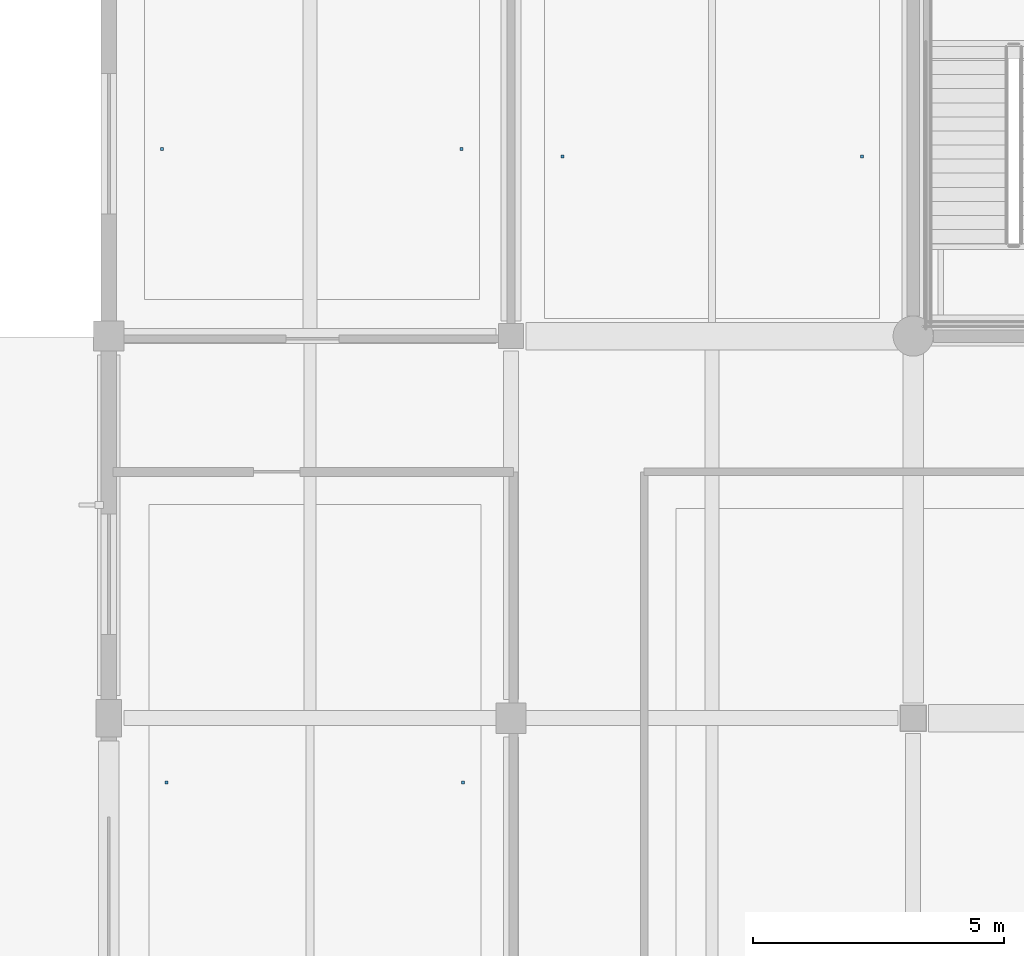
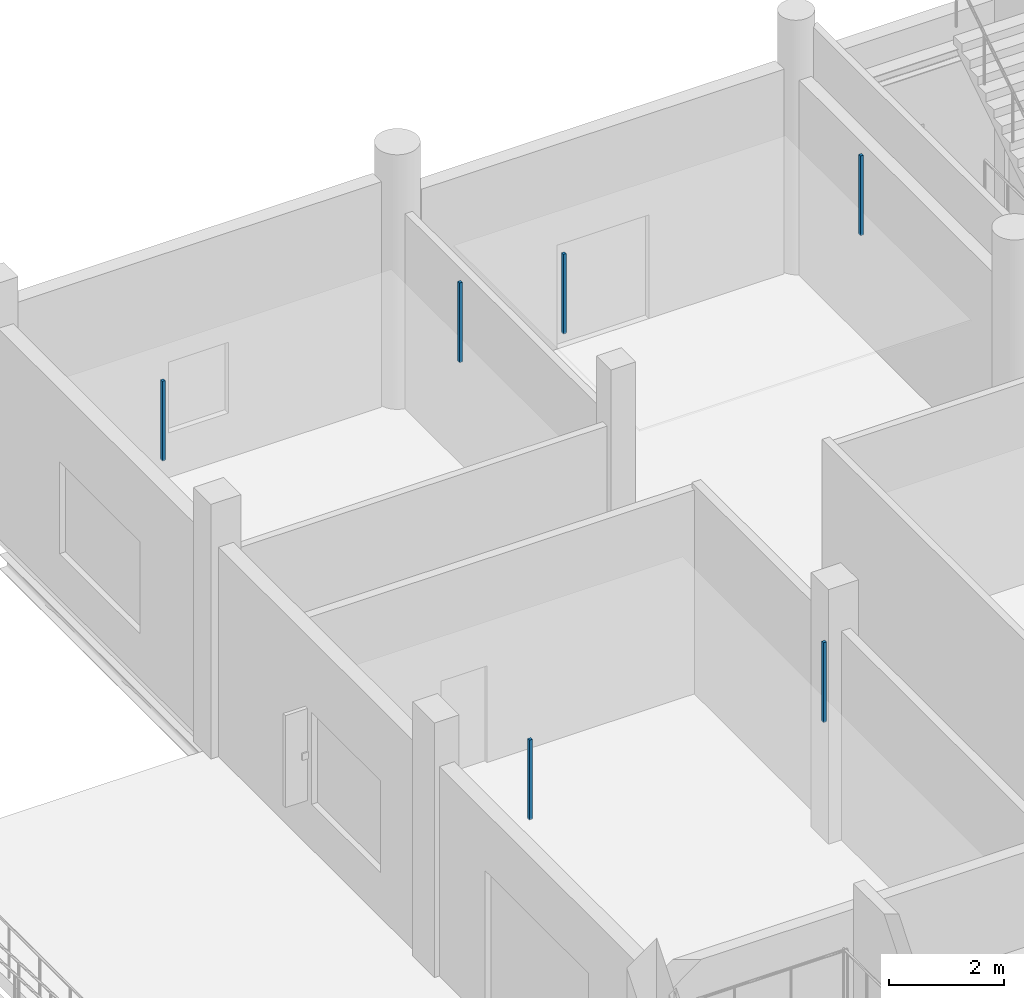
# One storey, part 98 of 126: 6 discrete accessories.
"""IFC4 building model written with IfcOpenShell, lengths in metres."""

from ifc_helpers import new_model, si_unit, direction, frame, origin, origin_2d, place, context, subcontext, project, spatial, rectangle, extrude, material, type_object, element, save


model = new_model("IFC4")

# Units and contexts
model_context = context("Model", 3, precision=1e-05, world=origin(), true_north=direction((0.0, 1.0)))
body_context = subcontext(model_context, "Body", "Model", "MODEL_VIEW")
ifc_project = project(units=[si_unit("LENGTHUNIT", "METRE"), si_unit("AREAUNIT", "SQUARE_METRE"), si_unit("VOLUMEUNIT", "CUBIC_METRE"), si_unit("PLANEANGLEUNIT", "RADIAN"), si_unit("MASSUNIT", "GRAM", prefix="KILO")], contexts=[model_context])

# Site, building, storey
site_placement = place(None, origin())
site = spatial("IfcSite", under=ifc_project, at=site_placement, CompositionType="ELEMENT")
building_placement = place(site_placement, origin())
building = spatial("IfcBuilding", under=site, at=building_placement, Name="Khelvaren Railside Concert Hall", CompositionType="ELEMENT")
storey_placement = place(building_placement, origin())
storey = spatial("IfcBuildingStorey", under=building, at=storey_placement, Name="L00", CompositionType="ELEMENT", Elevation=0.0)

# Discrete accessories
ifc_material = material(Name="Galvanised steel acoustic ceiling hanger rod", Category="steel")
discrete_accessory_type = type_object("IfcDiscreteAccessoryType", Name="BRK62", PredefinedType="BRACKET", material=ifc_material)
for number, where, z_axis, x_axis, name in (
    (1, (129.14990234375, 97.52490234375, 3.429931640625), (0.0, 0.0, 1.0), (1.0, 0.0, 0.0), "Acoustic Ceiling Suspension Bracket 127-1"),
    (2, (135.050048828125, 97.52490234375, 3.429931640625), (0.0, 0.0, 1.0), (1.0, 0.0, 0.0), "Acoustic Ceiling Suspension Bracket 127-2"),
    (3, (137.02001953125, 109.97509765625, 3.429931640625), (0.0, 0.0, 1.0), (1.0, 0.0, 0.0), "Acoustic Ceiling Suspension Bracket 132-1"),
    (4, (142.97998046875, 109.97509765625, 3.429931640625), (0.0, 0.0, 1.0), (1.0, 0.0, 0.0), "Acoustic Ceiling Suspension Bracket 132-2"),
    (5, (129.06005859375, 110.125, 3.429931640625), (0.0, 0.0, 1.0), (1.0, 0.0, 0.0), "Acoustic Ceiling Suspension Bracket 133-1"),
    (6, (135.02001953125, 110.125, 3.429931640625), (0.0, 0.0, 1.0), (1.0, 0.0, 0.0), "Acoustic Ceiling Suspension Bracket 133-2"),
):
    element("IfcDiscreteAccessory", number, at=place(storey_placement, frame(where, z_axis=z_axis, x_axis=x_axis)), inside=storey, type_object=discrete_accessory_type, Name=name, PredefinedType="BRACKET", context=body_context, shape_type="SweptSolid", body=[
        extrude(rectangle(XDim=0.06005859375, YDim=0.06005859375, at=origin_2d()), origin(), (0.0, 0.0, 1.0), 1.68994140625),
    ])

save(model, "model.ifc")
